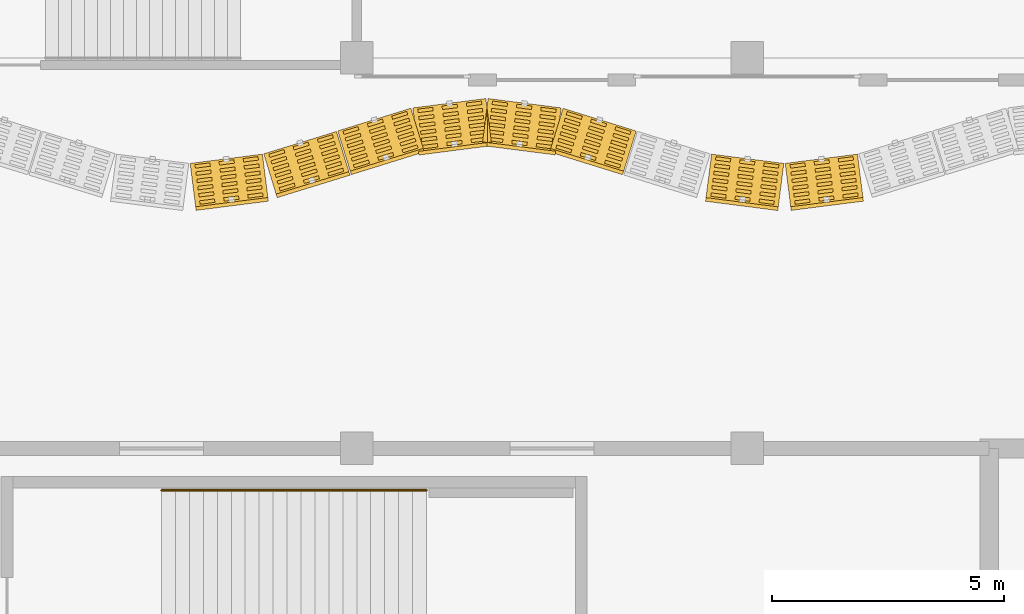
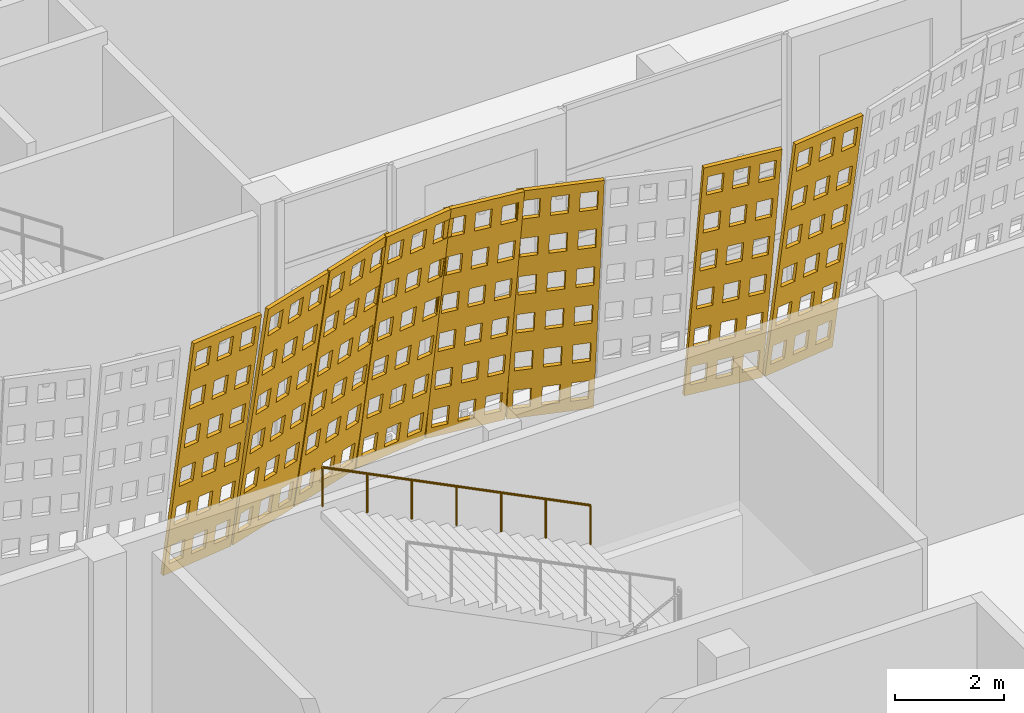
# One storey, part 188 of 210: 8 coverings, 1 railing.
"""IFC4 building model written with IfcOpenShell, lengths in metres."""

from ifc_helpers import new_model, si_unit, direction, frame, origin, origin_2d, place, context, subcontext, project, spatial, polyline, circle, outline, extrude, material, layer, layer_set, type_object, element, save


model = new_model("IFC4")

# Units and contexts
model_context = context("Model", 3, precision=1e-05, world=origin(), true_north=direction((0.0, 1.0)))
body_context = subcontext(model_context, "Body", "Model", "MODEL_VIEW")
ifc_project = project(units=[si_unit("LENGTHUNIT", "METRE"), si_unit("AREAUNIT", "SQUARE_METRE"), si_unit("VOLUMEUNIT", "CUBIC_METRE"), si_unit("PLANEANGLEUNIT", "RADIAN"), si_unit("MASSUNIT", "GRAM", prefix="KILO")], contexts=[model_context])

# Site, building, storey
site_placement = place(None, origin())
site = spatial("IfcSite", under=ifc_project, at=site_placement, CompositionType="ELEMENT")
building_placement = place(site_placement, origin())
building = spatial("IfcBuilding", under=site, at=building_placement, Name="Rain Tree Exposition and Congress Centre", CompositionType="ELEMENT")
storey_placement = place(building_placement, origin())
storey = spatial("IfcBuildingStorey", under=building, at=storey_placement, Name="L00", CompositionType="ELEMENT", Elevation=0.0)

# Railing
ifc_material_1 = material(Name="Steel S355J2H", Category="steel")
railing_type = type_object("IfcRailingType", Name="Handrail 900 steel", PredefinedType="HANDRAIL", material=ifc_material_1)
railing_placement = place(storey_placement, frame((177.89990234375, 66.300048828125, 3.14990234375)))
element("IfcRailing", 1, at=railing_placement, inside=storey, type_object=railing_type, Name="L00 ST-G4 stair handrail 2", PredefinedType="HANDRAIL", context=body_context, shape_type="SweptSolid", body=[
    extrude(circle(Radius=0.02392578125, at=origin_2d()), frame((0.0, 0.0, 0.8759765625), z_axis=(-0.894419528903, 0.0, 0.447228919365), x_axis=(0.0, -1.0, 0.0)), (0.0, 0.0, 1.0), 6.372802734375),
    extrude(circle(Radius=0.02099609375, at=origin_2d()), origin(), (0.0, 0.0, 1.0), 0.851806640625),
    extrude(circle(Radius=0.02099609375, at=origin_2d()), frame((-0.949951171875, 0.0, 0.47509765625)), (0.0, 0.0, 1.0), 0.851806640625),
    extrude(circle(Radius=0.02099609375, at=origin_2d()), frame((-1.89990234375, 0.0, 0.949951171875)), (0.0, 0.0, 1.0), 0.851806640625),
    extrude(circle(Radius=0.02099609375, at=origin_2d()), frame((-2.85009765625, 0.0, 1.425048828125)), (0.0, 0.0, 1.0), 0.851806640625),
    extrude(circle(Radius=0.02099609375, at=origin_2d()), frame((-3.800048828125, 0.0, 1.900146484375)), (0.0, 0.0, 1.0), 0.851806640625),
    extrude(circle(Radius=0.02099609375, at=origin_2d()), frame((-4.75, 0.0, 2.375)), (0.0, 0.0, 1.0), 0.851806640625),
    extrude(circle(Radius=0.02099609375, at=origin_2d()), frame((-5.699951171875, 0.0, 2.85009765625)), (0.0, 0.0, 1.0), 0.851806640625),
])

# Coverings
ifc_material_2 = material(Name="Perforated terracotta", Category="masonry")
ifc_layer = layer(ifc_material_2, 0.080078125)
ifc_layer_set = layer_set([ifc_layer], Name="Perforated terracotta")
covering_type = type_object("IfcCoveringType", Name="Terracotta screen 80", PredefinedType="CLADDING", material=ifc_layer_set)
covering_1_placement = place(storey_placement, frame((172.800048828125, 73.25, 0.0), z_axis=(-0.125030801275, 0.978899688033, 0.161625182136), x_axis=(-0.991941518713, -0.126696580272, 0.0)))
element("IfcCovering", 2, at=covering_1_placement, inside=storey, type_object=covering_type, Name="concourse/screen/L00/109", PredefinedType="CLADDING", context=body_context, shape_type="SweptSolid", body=[
    extrude(outline(polyline([(-0.025146484375, 0.0), (-1.59130859375, 0.0), (-1.59130859375, 5.813720703125), (-0.025146484375, 5.813720703125), (-0.025146484375, 0.0)]), holes=[polyline([(-0.12451171875, 0.25), (-0.12451171875, 0.718994140625), (-0.447998046875, 0.718994140625), (-0.447998046875, 0.25), (-0.12451171875, 0.25)]), polyline([(-0.12451171875, 1.218994140625), (-0.12451171875, 1.687744140625), (-0.447998046875, 1.687744140625), (-0.447998046875, 1.218994140625), (-0.12451171875, 1.218994140625)]), polyline([(-0.12451171875, 2.18798828125), (-0.12451171875, 2.65673828125), (-0.447998046875, 2.65673828125), (-0.447998046875, 2.18798828125), (-0.12451171875, 2.18798828125)]), polyline([(-0.12451171875, 3.156982421875), (-0.12451171875, 3.625732421875), (-0.447998046875, 3.625732421875), (-0.447998046875, 3.156982421875), (-0.12451171875, 3.156982421875)]), polyline([(-0.12451171875, 4.125732421875), (-0.12451171875, 4.594482421875), (-0.447998046875, 4.594482421875), (-0.447998046875, 4.125732421875), (-0.12451171875, 4.125732421875)]), polyline([(-0.12451171875, 5.0947265625), (-0.12451171875, 5.563720703125), (-0.447998046875, 5.563720703125), (-0.447998046875, 5.0947265625), (-0.12451171875, 5.0947265625)]), polyline([(-0.646484375, 0.25), (-0.646484375, 0.718994140625), (-0.969970703125, 0.718994140625), (-0.969970703125, 0.25), (-0.646484375, 0.25)]), polyline([(-0.646484375, 1.218994140625), (-0.646484375, 1.687744140625), (-0.969970703125, 1.687744140625), (-0.969970703125, 1.218994140625), (-0.646484375, 1.218994140625)]), polyline([(-0.646484375, 2.18798828125), (-0.646484375, 2.65673828125), (-0.969970703125, 2.65673828125), (-0.969970703125, 2.18798828125), (-0.646484375, 2.18798828125)]), polyline([(-0.646484375, 3.156982421875), (-0.646484375, 3.625732421875), (-0.969970703125, 3.625732421875), (-0.969970703125, 3.156982421875), (-0.646484375, 3.156982421875)]), polyline([(-0.646484375, 4.125732421875), (-0.646484375, 4.594482421875), (-0.969970703125, 4.594482421875), (-0.969970703125, 4.125732421875), (-0.646484375, 4.125732421875)]), polyline([(-0.646484375, 5.0947265625), (-0.646484375, 5.563720703125), (-0.969970703125, 5.563720703125), (-0.969970703125, 5.0947265625), (-0.646484375, 5.0947265625)]), polyline([(-1.16845703125, 0.25), (-1.16845703125, 0.718994140625), (-1.491943359375, 0.718994140625), (-1.491943359375, 0.25), (-1.16845703125, 0.25)]), polyline([(-1.16845703125, 1.218994140625), (-1.16845703125, 1.687744140625), (-1.491943359375, 1.687744140625), (-1.491943359375, 1.218994140625), (-1.16845703125, 1.218994140625)]), polyline([(-1.16845703125, 2.18798828125), (-1.16845703125, 2.65673828125), (-1.491943359375, 2.65673828125), (-1.491943359375, 2.18798828125), (-1.16845703125, 2.18798828125)]), polyline([(-1.16845703125, 3.156982421875), (-1.16845703125, 3.625732421875), (-1.491943359375, 3.625732421875), (-1.491943359375, 3.156982421875), (-1.16845703125, 3.156982421875)]), polyline([(-1.16845703125, 4.125732421875), (-1.16845703125, 4.594482421875), (-1.491943359375, 4.594482421875), (-1.491943359375, 4.125732421875), (-1.16845703125, 4.125732421875)]), polyline([(-1.16845703125, 5.0947265625), (-1.16845703125, 5.563720703125), (-1.491943359375, 5.563720703125), (-1.491943359375, 5.0947265625), (-1.16845703125, 5.0947265625)])]), origin(), (0.0, 0.0, 1.0), 0.080078125),
])
covering_2_placement = place(storey_placement, frame((174.39990234375, 73.455078125, 0.0), z_axis=(-0.290278371326, 0.94416859726, 0.155833651975), x_axis=(-0.955845867297, -0.293868470528, 0.0)))
element("IfcCovering", 3, at=covering_2_placement, inside=storey, type_object=covering_type, Name="concourse/screen/L00/110", PredefinedType="CLADDING", context=body_context, shape_type="SweptSolid", body=[
    extrude(outline(polyline([(-0.02197265625, 0.0), (-1.659912109375, 0.0), (-1.659912109375, 5.80859375), (-0.02197265625, 5.80859375), (-0.02197265625, 0.0)]), holes=[polyline([(-0.125732421875, 0.249755859375), (-0.125732421875, 0.71826171875), (-0.464111328125, 0.71826171875), (-0.464111328125, 0.249755859375), (-0.125732421875, 0.249755859375)]), polyline([(-0.125732421875, 1.218017578125), (-0.125732421875, 1.686279296875), (-0.464111328125, 1.686279296875), (-0.464111328125, 1.218017578125), (-0.125732421875, 1.218017578125)]), polyline([(-0.125732421875, 2.18603515625), (-0.125732421875, 2.654541015625), (-0.464111328125, 2.654541015625), (-0.464111328125, 2.18603515625), (-0.125732421875, 2.18603515625)]), polyline([(-0.125732421875, 3.154052734375), (-0.125732421875, 3.62255859375), (-0.464111328125, 3.62255859375), (-0.464111328125, 3.154052734375), (-0.125732421875, 3.154052734375)]), polyline([(-0.125732421875, 4.122314453125), (-0.125732421875, 4.5908203125), (-0.464111328125, 4.5908203125), (-0.464111328125, 4.122314453125), (-0.125732421875, 4.122314453125)]), polyline([(-0.125732421875, 5.09033203125), (-0.125732421875, 5.558837890625), (-0.464111328125, 5.558837890625), (-0.464111328125, 5.09033203125), (-0.125732421875, 5.09033203125)]), polyline([(-0.671630859375, 0.249755859375), (-0.671630859375, 0.71826171875), (-1.010009765625, 0.71826171875), (-1.010009765625, 0.249755859375), (-0.671630859375, 0.249755859375)]), polyline([(-0.671630859375, 1.218017578125), (-0.671630859375, 1.686279296875), (-1.010009765625, 1.686279296875), (-1.010009765625, 1.218017578125), (-0.671630859375, 1.218017578125)]), polyline([(-0.671630859375, 2.18603515625), (-0.671630859375, 2.654541015625), (-1.010009765625, 2.654541015625), (-1.010009765625, 2.18603515625), (-0.671630859375, 2.18603515625)]), polyline([(-0.671630859375, 3.154052734375), (-0.671630859375, 3.62255859375), (-1.010009765625, 3.62255859375), (-1.010009765625, 3.154052734375), (-0.671630859375, 3.154052734375)]), polyline([(-0.671630859375, 4.122314453125), (-0.671630859375, 4.5908203125), (-1.010009765625, 4.5908203125), (-1.010009765625, 4.122314453125), (-0.671630859375, 4.122314453125)]), polyline([(-0.671630859375, 5.09033203125), (-0.671630859375, 5.558837890625), (-1.010009765625, 5.558837890625), (-1.010009765625, 5.09033203125), (-0.671630859375, 5.09033203125)]), polyline([(-1.217529296875, 0.249755859375), (-1.217529296875, 0.71826171875), (-1.55615234375, 0.71826171875), (-1.55615234375, 0.249755859375), (-1.217529296875, 0.249755859375)]), polyline([(-1.217529296875, 1.218017578125), (-1.217529296875, 1.686279296875), (-1.55615234375, 1.686279296875), (-1.55615234375, 1.218017578125), (-1.217529296875, 1.218017578125)]), polyline([(-1.217529296875, 2.18603515625), (-1.217529296875, 2.654541015625), (-1.55615234375, 2.654541015625), (-1.55615234375, 2.18603515625), (-1.217529296875, 2.18603515625)]), polyline([(-1.217529296875, 3.154052734375), (-1.217529296875, 3.62255859375), (-1.55615234375, 3.62255859375), (-1.55615234375, 3.154052734375), (-1.217529296875, 3.154052734375)]), polyline([(-1.217529296875, 4.122314453125), (-1.217529296875, 4.5908203125), (-1.55615234375, 4.5908203125), (-1.55615234375, 4.122314453125), (-1.217529296875, 4.122314453125)]), polyline([(-1.217529296875, 5.09033203125), (-1.217529296875, 5.558837890625), (-1.55615234375, 5.558837890625), (-1.55615234375, 5.09033203125), (-1.217529296875, 5.09033203125)])]), origin(), (0.0, 0.0, 1.0), 0.079833984375),
])
covering_3_placement = place(storey_placement, frame((176.0, 73.949951171875, 0.0), z_axis=(-0.293072736571, 0.943327870838, 0.155694891303), x_axis=(-0.954973588716, -0.296690823679, 0.0)))
element("IfcCovering", 4, at=covering_3_placement, inside=storey, type_object=covering_type, Name="concourse/screen/L00/111", PredefinedType="CLADDING", context=body_context, shape_type="SweptSolid", body=[
    extrude(outline(polyline([(-0.014892578125, 0.0), (-1.659912109375, 0.0), (-1.659912109375, 5.80859375), (-0.014892578125, 5.80859375), (-0.014892578125, 0.0)]), holes=[polyline([(-0.119140625, 0.249755859375), (-0.119140625, 0.71826171875), (-0.458984375, 0.71826171875), (-0.458984375, 0.249755859375), (-0.119140625, 0.249755859375)]), polyline([(-0.119140625, 1.218017578125), (-0.119140625, 1.686279296875), (-0.458984375, 1.686279296875), (-0.458984375, 1.218017578125), (-0.119140625, 1.218017578125)]), polyline([(-0.119140625, 2.18603515625), (-0.119140625, 2.654541015625), (-0.458984375, 2.654541015625), (-0.458984375, 2.18603515625), (-0.119140625, 2.18603515625)]), polyline([(-0.119140625, 3.154052734375), (-0.119140625, 3.62255859375), (-0.458984375, 3.62255859375), (-0.458984375, 3.154052734375), (-0.119140625, 3.154052734375)]), polyline([(-0.119140625, 4.122314453125), (-0.119140625, 4.5908203125), (-0.458984375, 4.5908203125), (-0.458984375, 4.122314453125), (-0.119140625, 4.122314453125)]), polyline([(-0.119140625, 5.09033203125), (-0.119140625, 5.558837890625), (-0.458984375, 5.558837890625), (-0.458984375, 5.09033203125), (-0.119140625, 5.09033203125)]), polyline([(-0.66748046875, 0.249755859375), (-0.66748046875, 0.71826171875), (-1.00732421875, 0.71826171875), (-1.00732421875, 0.249755859375), (-0.66748046875, 0.249755859375)]), polyline([(-0.66748046875, 1.218017578125), (-0.66748046875, 1.686279296875), (-1.00732421875, 1.686279296875), (-1.00732421875, 1.218017578125), (-0.66748046875, 1.218017578125)]), polyline([(-0.66748046875, 2.18603515625), (-0.66748046875, 2.654541015625), (-1.00732421875, 2.654541015625), (-1.00732421875, 2.18603515625), (-0.66748046875, 2.18603515625)]), polyline([(-0.66748046875, 3.154052734375), (-0.66748046875, 3.62255859375), (-1.00732421875, 3.62255859375), (-1.00732421875, 3.154052734375), (-0.66748046875, 3.154052734375)]), polyline([(-0.66748046875, 4.122314453125), (-0.66748046875, 4.5908203125), (-1.00732421875, 4.5908203125), (-1.00732421875, 4.122314453125), (-0.66748046875, 4.122314453125)]), polyline([(-0.66748046875, 5.09033203125), (-0.66748046875, 5.558837890625), (-1.00732421875, 5.558837890625), (-1.00732421875, 5.09033203125), (-0.66748046875, 5.09033203125)]), polyline([(-1.2158203125, 0.249755859375), (-1.2158203125, 0.71826171875), (-1.5556640625, 0.71826171875), (-1.5556640625, 0.249755859375), (-1.2158203125, 0.249755859375)]), polyline([(-1.2158203125, 1.218017578125), (-1.2158203125, 1.686279296875), (-1.5556640625, 1.686279296875), (-1.5556640625, 1.218017578125), (-1.2158203125, 1.218017578125)]), polyline([(-1.2158203125, 2.18603515625), (-1.2158203125, 2.654541015625), (-1.5556640625, 2.654541015625), (-1.5556640625, 2.18603515625), (-1.2158203125, 2.18603515625)]), polyline([(-1.2158203125, 3.154052734375), (-1.2158203125, 3.62255859375), (-1.5556640625, 3.62255859375), (-1.5556640625, 3.154052734375), (-1.2158203125, 3.154052734375)]), polyline([(-1.2158203125, 4.122314453125), (-1.2158203125, 4.5908203125), (-1.5556640625, 4.5908203125), (-1.5556640625, 4.122314453125), (-1.2158203125, 4.122314453125)]), polyline([(-1.2158203125, 5.09033203125), (-1.2158203125, 5.558837890625), (-1.5556640625, 5.558837890625), (-1.5556640625, 5.09033203125), (-1.2158203125, 5.09033203125)])]), origin(), (0.0, 0.0, 1.0), 0.080078125),
])
covering_4_placement = place(storey_placement, frame((177.60009765625, 74.445068359375, 0.0), z_axis=(-0.125405134464, 0.978771781185, 0.162109076259), x_axis=(-0.991891686382, -0.127086122318, 0.0)))
element("IfcCovering", 5, at=covering_4_placement, inside=storey, type_object=covering_type, Name="concourse/screen/L00/112", PredefinedType="CLADDING", context=body_context, shape_type="SweptSolid", body=[
    extrude(outline(polyline([(-0.014892578125, 0.0), (-1.59814453125, 0.0), (-1.59814453125, 5.813720703125), (-0.014892578125, 5.813720703125), (-0.014892578125, 0.0)]), holes=[polyline([(-0.115234375, 0.25), (-0.115234375, 0.718994140625), (-0.4423828125, 0.718994140625), (-0.4423828125, 0.25), (-0.115234375, 0.25)]), polyline([(-0.115234375, 1.218994140625), (-0.115234375, 1.687744140625), (-0.4423828125, 1.687744140625), (-0.4423828125, 1.218994140625), (-0.115234375, 1.218994140625)]), polyline([(-0.115234375, 2.18798828125), (-0.115234375, 2.65673828125), (-0.4423828125, 2.65673828125), (-0.4423828125, 2.18798828125), (-0.115234375, 2.18798828125)]), polyline([(-0.115234375, 3.156982421875), (-0.115234375, 3.625732421875), (-0.4423828125, 3.625732421875), (-0.4423828125, 3.156982421875), (-0.115234375, 3.156982421875)]), polyline([(-0.115234375, 4.125732421875), (-0.115234375, 4.594482421875), (-0.4423828125, 4.594482421875), (-0.4423828125, 4.125732421875), (-0.115234375, 4.125732421875)]), polyline([(-0.115234375, 5.0947265625), (-0.115234375, 5.563720703125), (-0.4423828125, 5.563720703125), (-0.4423828125, 5.0947265625), (-0.115234375, 5.0947265625)]), polyline([(-0.64306640625, 0.25), (-0.64306640625, 0.718994140625), (-0.97021484375, 0.718994140625), (-0.97021484375, 0.25), (-0.64306640625, 0.25)]), polyline([(-0.64306640625, 1.218994140625), (-0.64306640625, 1.687744140625), (-0.97021484375, 1.687744140625), (-0.97021484375, 1.218994140625), (-0.64306640625, 1.218994140625)]), polyline([(-0.64306640625, 2.18798828125), (-0.64306640625, 2.65673828125), (-0.97021484375, 2.65673828125), (-0.97021484375, 2.18798828125), (-0.64306640625, 2.18798828125)]), polyline([(-0.64306640625, 3.156982421875), (-0.64306640625, 3.625732421875), (-0.97021484375, 3.625732421875), (-0.97021484375, 3.156982421875), (-0.64306640625, 3.156982421875)]), polyline([(-0.64306640625, 4.125732421875), (-0.64306640625, 4.594482421875), (-0.97021484375, 4.594482421875), (-0.97021484375, 4.125732421875), (-0.64306640625, 4.125732421875)]), polyline([(-0.64306640625, 5.0947265625), (-0.64306640625, 5.563720703125), (-0.97021484375, 5.563720703125), (-0.97021484375, 5.0947265625), (-0.64306640625, 5.0947265625)]), polyline([(-1.170654296875, 0.25), (-1.170654296875, 0.718994140625), (-1.497802734375, 0.718994140625), (-1.497802734375, 0.25), (-1.170654296875, 0.25)]), polyline([(-1.170654296875, 1.218994140625), (-1.170654296875, 1.687744140625), (-1.497802734375, 1.687744140625), (-1.497802734375, 1.218994140625), (-1.170654296875, 1.218994140625)]), polyline([(-1.170654296875, 2.18798828125), (-1.170654296875, 2.65673828125), (-1.497802734375, 2.65673828125), (-1.497802734375, 2.18798828125), (-1.170654296875, 2.18798828125)]), polyline([(-1.170654296875, 3.156982421875), (-1.170654296875, 3.625732421875), (-1.497802734375, 3.625732421875), (-1.497802734375, 3.156982421875), (-1.170654296875, 3.156982421875)]), polyline([(-1.170654296875, 4.125732421875), (-1.170654296875, 4.594482421875), (-1.497802734375, 4.594482421875), (-1.497802734375, 4.125732421875), (-1.170654296875, 4.125732421875)]), polyline([(-1.170654296875, 5.0947265625), (-1.170654296875, 5.563720703125), (-1.497802734375, 5.563720703125), (-1.497802734375, 5.0947265625), (-1.170654296875, 5.0947265625)])]), origin(), (0.0, 0.0, 1.0), 0.079833984375),
])
covering_5_placement = place(storey_placement, frame((179.199951171875, 74.64990234375, 0.0), z_axis=(0.125030801275, 0.978899688033, 0.161625182136), x_axis=(-0.991941518713, 0.126696580272, 0.0)))
element("IfcCovering", 6, at=covering_5_placement, inside=storey, type_object=covering_type, Name="concourse/screen/L00/113", PredefinedType="CLADDING", context=body_context, shape_type="SweptSolid", body=[
    extrude(outline(polyline([(-0.014892578125, 0.0), (-1.59814453125, 0.0), (-1.59814453125, 5.813720703125), (-0.014892578125, 5.813720703125), (-0.014892578125, 0.0)]), holes=[polyline([(-0.115234375, 0.25), (-0.115234375, 0.718994140625), (-0.4423828125, 0.718994140625), (-0.4423828125, 0.25), (-0.115234375, 0.25)]), polyline([(-0.115234375, 1.218994140625), (-0.115234375, 1.687744140625), (-0.4423828125, 1.687744140625), (-0.4423828125, 1.218994140625), (-0.115234375, 1.218994140625)]), polyline([(-0.115234375, 2.18798828125), (-0.115234375, 2.65673828125), (-0.4423828125, 2.65673828125), (-0.4423828125, 2.18798828125), (-0.115234375, 2.18798828125)]), polyline([(-0.115234375, 3.156982421875), (-0.115234375, 3.625732421875), (-0.4423828125, 3.625732421875), (-0.4423828125, 3.156982421875), (-0.115234375, 3.156982421875)]), polyline([(-0.115234375, 4.125732421875), (-0.115234375, 4.594482421875), (-0.4423828125, 4.594482421875), (-0.4423828125, 4.125732421875), (-0.115234375, 4.125732421875)]), polyline([(-0.115234375, 5.0947265625), (-0.115234375, 5.563720703125), (-0.4423828125, 5.563720703125), (-0.4423828125, 5.0947265625), (-0.115234375, 5.0947265625)]), polyline([(-0.64306640625, 0.25), (-0.64306640625, 0.718994140625), (-0.97021484375, 0.718994140625), (-0.97021484375, 0.25), (-0.64306640625, 0.25)]), polyline([(-0.64306640625, 1.218994140625), (-0.64306640625, 1.687744140625), (-0.97021484375, 1.687744140625), (-0.97021484375, 1.218994140625), (-0.64306640625, 1.218994140625)]), polyline([(-0.64306640625, 2.18798828125), (-0.64306640625, 2.65673828125), (-0.97021484375, 2.65673828125), (-0.97021484375, 2.18798828125), (-0.64306640625, 2.18798828125)]), polyline([(-0.64306640625, 3.156982421875), (-0.64306640625, 3.625732421875), (-0.97021484375, 3.625732421875), (-0.97021484375, 3.156982421875), (-0.64306640625, 3.156982421875)]), polyline([(-0.64306640625, 4.125732421875), (-0.64306640625, 4.594482421875), (-0.97021484375, 4.594482421875), (-0.97021484375, 4.125732421875), (-0.64306640625, 4.125732421875)]), polyline([(-0.64306640625, 5.0947265625), (-0.64306640625, 5.563720703125), (-0.97021484375, 5.563720703125), (-0.97021484375, 5.0947265625), (-0.64306640625, 5.0947265625)]), polyline([(-1.170654296875, 0.25), (-1.170654296875, 0.718994140625), (-1.497802734375, 0.718994140625), (-1.497802734375, 0.25), (-1.170654296875, 0.25)]), polyline([(-1.170654296875, 1.218994140625), (-1.170654296875, 1.687744140625), (-1.497802734375, 1.687744140625), (-1.497802734375, 1.218994140625), (-1.170654296875, 1.218994140625)]), polyline([(-1.170654296875, 2.18798828125), (-1.170654296875, 2.65673828125), (-1.497802734375, 2.65673828125), (-1.497802734375, 2.18798828125), (-1.170654296875, 2.18798828125)]), polyline([(-1.170654296875, 3.156982421875), (-1.170654296875, 3.625732421875), (-1.497802734375, 3.625732421875), (-1.497802734375, 3.156982421875), (-1.170654296875, 3.156982421875)]), polyline([(-1.170654296875, 4.125732421875), (-1.170654296875, 4.594482421875), (-1.497802734375, 4.594482421875), (-1.497802734375, 4.125732421875), (-1.170654296875, 4.125732421875)]), polyline([(-1.170654296875, 5.0947265625), (-1.170654296875, 5.563720703125), (-1.497802734375, 5.563720703125), (-1.497802734375, 5.0947265625), (-1.170654296875, 5.0947265625)])]), origin(), (0.0, 0.0, 1.0), 0.080078125),
])
covering_6_placement = place(storey_placement, frame((180.800048828125, 74.445068359375, 0.0), z_axis=(0.293072736571, 0.943327870838, 0.155694891303), x_axis=(-0.954973588716, 0.296690823679, 0.0)))
element("IfcCovering", 7, at=covering_6_placement, inside=storey, type_object=covering_type, Name="concourse/screen/L00/114", PredefinedType="CLADDING", context=body_context, shape_type="SweptSolid", body=[
    extrude(outline(polyline([(-0.014892578125, 0.0), (-1.659912109375, 0.0), (-1.659912109375, 5.80859375), (-0.014892578125, 5.80859375), (-0.014892578125, 0.0)]), holes=[polyline([(-0.119140625, 0.249755859375), (-0.119140625, 0.71826171875), (-0.458984375, 0.71826171875), (-0.458984375, 0.249755859375), (-0.119140625, 0.249755859375)]), polyline([(-0.119140625, 1.218017578125), (-0.119140625, 1.686279296875), (-0.458984375, 1.686279296875), (-0.458984375, 1.218017578125), (-0.119140625, 1.218017578125)]), polyline([(-0.119140625, 2.18603515625), (-0.119140625, 2.654541015625), (-0.458984375, 2.654541015625), (-0.458984375, 2.18603515625), (-0.119140625, 2.18603515625)]), polyline([(-0.119140625, 3.154052734375), (-0.119140625, 3.62255859375), (-0.458984375, 3.62255859375), (-0.458984375, 3.154052734375), (-0.119140625, 3.154052734375)]), polyline([(-0.119140625, 4.122314453125), (-0.119140625, 4.5908203125), (-0.458984375, 4.5908203125), (-0.458984375, 4.122314453125), (-0.119140625, 4.122314453125)]), polyline([(-0.119140625, 5.09033203125), (-0.119140625, 5.558837890625), (-0.458984375, 5.558837890625), (-0.458984375, 5.09033203125), (-0.119140625, 5.09033203125)]), polyline([(-0.66748046875, 0.249755859375), (-0.66748046875, 0.71826171875), (-1.00732421875, 0.71826171875), (-1.00732421875, 0.249755859375), (-0.66748046875, 0.249755859375)]), polyline([(-0.66748046875, 1.218017578125), (-0.66748046875, 1.686279296875), (-1.00732421875, 1.686279296875), (-1.00732421875, 1.218017578125), (-0.66748046875, 1.218017578125)]), polyline([(-0.66748046875, 2.18603515625), (-0.66748046875, 2.654541015625), (-1.00732421875, 2.654541015625), (-1.00732421875, 2.18603515625), (-0.66748046875, 2.18603515625)]), polyline([(-0.66748046875, 3.154052734375), (-0.66748046875, 3.62255859375), (-1.00732421875, 3.62255859375), (-1.00732421875, 3.154052734375), (-0.66748046875, 3.154052734375)]), polyline([(-0.66748046875, 4.122314453125), (-0.66748046875, 4.5908203125), (-1.00732421875, 4.5908203125), (-1.00732421875, 4.122314453125), (-0.66748046875, 4.122314453125)]), polyline([(-0.66748046875, 5.09033203125), (-0.66748046875, 5.558837890625), (-1.00732421875, 5.558837890625), (-1.00732421875, 5.09033203125), (-0.66748046875, 5.09033203125)]), polyline([(-1.2158203125, 0.249755859375), (-1.2158203125, 0.71826171875), (-1.5556640625, 0.71826171875), (-1.5556640625, 0.249755859375), (-1.2158203125, 0.249755859375)]), polyline([(-1.2158203125, 1.218017578125), (-1.2158203125, 1.686279296875), (-1.5556640625, 1.686279296875), (-1.5556640625, 1.218017578125), (-1.2158203125, 1.218017578125)]), polyline([(-1.2158203125, 2.18603515625), (-1.2158203125, 2.654541015625), (-1.5556640625, 2.654541015625), (-1.5556640625, 2.18603515625), (-1.2158203125, 2.18603515625)]), polyline([(-1.2158203125, 3.154052734375), (-1.2158203125, 3.62255859375), (-1.5556640625, 3.62255859375), (-1.5556640625, 3.154052734375), (-1.2158203125, 3.154052734375)]), polyline([(-1.2158203125, 4.122314453125), (-1.2158203125, 4.5908203125), (-1.5556640625, 4.5908203125), (-1.5556640625, 4.122314453125), (-1.2158203125, 4.122314453125)]), polyline([(-1.2158203125, 5.09033203125), (-1.2158203125, 5.558837890625), (-1.5556640625, 5.558837890625), (-1.5556640625, 5.09033203125), (-1.2158203125, 5.09033203125)])]), origin(), (0.0, 0.0, 1.0), 0.080078125),
])
covering_7_placement = place(storey_placement, frame((184.0, 73.455078125, 0.0), z_axis=(0.125405134464, 0.978771781185, 0.162109076259), x_axis=(-0.991891686382, 0.127086122318, 0.0)))
element("IfcCovering", 8, at=covering_7_placement, inside=storey, type_object=covering_type, Name="concourse/screen/L00/116", PredefinedType="CLADDING", context=body_context, shape_type="SweptSolid", body=[
    extrude(outline(polyline([(-0.02197265625, 0.0), (-1.587890625, 0.0), (-1.587890625, 5.813720703125), (-0.02197265625, 5.813720703125), (-0.02197265625, 0.0)]), holes=[polyline([(-0.12109375, 0.25), (-0.12109375, 0.718994140625), (-0.444580078125, 0.718994140625), (-0.444580078125, 0.25), (-0.12109375, 0.25)]), polyline([(-0.12109375, 1.218994140625), (-0.12109375, 1.687744140625), (-0.444580078125, 1.687744140625), (-0.444580078125, 1.218994140625), (-0.12109375, 1.218994140625)]), polyline([(-0.12109375, 2.18798828125), (-0.12109375, 2.65673828125), (-0.444580078125, 2.65673828125), (-0.444580078125, 2.18798828125), (-0.12109375, 2.18798828125)]), polyline([(-0.12109375, 3.156982421875), (-0.12109375, 3.625732421875), (-0.444580078125, 3.625732421875), (-0.444580078125, 3.156982421875), (-0.12109375, 3.156982421875)]), polyline([(-0.12109375, 4.125732421875), (-0.12109375, 4.594482421875), (-0.444580078125, 4.594482421875), (-0.444580078125, 4.125732421875), (-0.12109375, 4.125732421875)]), polyline([(-0.12109375, 5.0947265625), (-0.12109375, 5.563720703125), (-0.444580078125, 5.563720703125), (-0.444580078125, 5.0947265625), (-0.12109375, 5.0947265625)]), polyline([(-0.64306640625, 0.25), (-0.64306640625, 0.718994140625), (-0.966796875, 0.718994140625), (-0.966796875, 0.25), (-0.64306640625, 0.25)]), polyline([(-0.64306640625, 1.218994140625), (-0.64306640625, 1.687744140625), (-0.966796875, 1.687744140625), (-0.966796875, 1.218994140625), (-0.64306640625, 1.218994140625)]), polyline([(-0.64306640625, 2.18798828125), (-0.64306640625, 2.65673828125), (-0.966796875, 2.65673828125), (-0.966796875, 2.18798828125), (-0.64306640625, 2.18798828125)]), polyline([(-0.64306640625, 3.156982421875), (-0.64306640625, 3.625732421875), (-0.966796875, 3.625732421875), (-0.966796875, 3.156982421875), (-0.64306640625, 3.156982421875)]), polyline([(-0.64306640625, 4.125732421875), (-0.64306640625, 4.594482421875), (-0.966796875, 4.594482421875), (-0.966796875, 4.125732421875), (-0.64306640625, 4.125732421875)]), polyline([(-0.64306640625, 5.0947265625), (-0.64306640625, 5.563720703125), (-0.966796875, 5.563720703125), (-0.966796875, 5.0947265625), (-0.64306640625, 5.0947265625)]), polyline([(-1.1650390625, 0.25), (-1.1650390625, 0.718994140625), (-1.48876953125, 0.718994140625), (-1.48876953125, 0.25), (-1.1650390625, 0.25)]), polyline([(-1.1650390625, 1.218994140625), (-1.1650390625, 1.687744140625), (-1.48876953125, 1.687744140625), (-1.48876953125, 1.218994140625), (-1.1650390625, 1.218994140625)]), polyline([(-1.1650390625, 2.18798828125), (-1.1650390625, 2.65673828125), (-1.48876953125, 2.65673828125), (-1.48876953125, 2.18798828125), (-1.1650390625, 2.18798828125)]), polyline([(-1.1650390625, 3.156982421875), (-1.1650390625, 3.625732421875), (-1.48876953125, 3.625732421875), (-1.48876953125, 3.156982421875), (-1.1650390625, 3.156982421875)]), polyline([(-1.1650390625, 4.125732421875), (-1.1650390625, 4.594482421875), (-1.48876953125, 4.594482421875), (-1.48876953125, 4.125732421875), (-1.1650390625, 4.125732421875)]), polyline([(-1.1650390625, 5.0947265625), (-1.1650390625, 5.563720703125), (-1.48876953125, 5.563720703125), (-1.48876953125, 5.0947265625), (-1.1650390625, 5.0947265625)])]), origin(), (0.0, 0.0, 1.0), 0.079833984375),
])
covering_8_placement = place(storey_placement, frame((185.60009765625, 73.25, 0.0), z_axis=(-0.125030801275, 0.978899688033, 0.161625182136), x_axis=(-0.991941518713, -0.126696580272, 0.0)))
element("IfcCovering", 9, at=covering_8_placement, inside=storey, type_object=covering_type, Name="concourse/screen/L00/117", PredefinedType="CLADDING", context=body_context, shape_type="SweptSolid", body=[
    extrude(outline(polyline([(-0.025146484375, 0.0), (-1.59130859375, 0.0), (-1.59130859375, 5.813720703125), (-0.025146484375, 5.813720703125), (-0.025146484375, 0.0)]), holes=[polyline([(-0.12451171875, 0.25), (-0.12451171875, 0.718994140625), (-0.447998046875, 0.718994140625), (-0.447998046875, 0.25), (-0.12451171875, 0.25)]), polyline([(-0.12451171875, 1.218994140625), (-0.12451171875, 1.687744140625), (-0.447998046875, 1.687744140625), (-0.447998046875, 1.218994140625), (-0.12451171875, 1.218994140625)]), polyline([(-0.12451171875, 2.18798828125), (-0.12451171875, 2.65673828125), (-0.447998046875, 2.65673828125), (-0.447998046875, 2.18798828125), (-0.12451171875, 2.18798828125)]), polyline([(-0.12451171875, 3.156982421875), (-0.12451171875, 3.625732421875), (-0.447998046875, 3.625732421875), (-0.447998046875, 3.156982421875), (-0.12451171875, 3.156982421875)]), polyline([(-0.12451171875, 4.125732421875), (-0.12451171875, 4.594482421875), (-0.447998046875, 4.594482421875), (-0.447998046875, 4.125732421875), (-0.12451171875, 4.125732421875)]), polyline([(-0.12451171875, 5.0947265625), (-0.12451171875, 5.563720703125), (-0.447998046875, 5.563720703125), (-0.447998046875, 5.0947265625), (-0.12451171875, 5.0947265625)]), polyline([(-0.646484375, 0.25), (-0.646484375, 0.718994140625), (-0.969970703125, 0.718994140625), (-0.969970703125, 0.25), (-0.646484375, 0.25)]), polyline([(-0.646484375, 1.218994140625), (-0.646484375, 1.687744140625), (-0.969970703125, 1.687744140625), (-0.969970703125, 1.218994140625), (-0.646484375, 1.218994140625)]), polyline([(-0.646484375, 2.18798828125), (-0.646484375, 2.65673828125), (-0.969970703125, 2.65673828125), (-0.969970703125, 2.18798828125), (-0.646484375, 2.18798828125)]), polyline([(-0.646484375, 3.156982421875), (-0.646484375, 3.625732421875), (-0.969970703125, 3.625732421875), (-0.969970703125, 3.156982421875), (-0.646484375, 3.156982421875)]), polyline([(-0.646484375, 4.125732421875), (-0.646484375, 4.594482421875), (-0.969970703125, 4.594482421875), (-0.969970703125, 4.125732421875), (-0.646484375, 4.125732421875)]), polyline([(-0.646484375, 5.0947265625), (-0.646484375, 5.563720703125), (-0.969970703125, 5.563720703125), (-0.969970703125, 5.0947265625), (-0.646484375, 5.0947265625)]), polyline([(-1.16845703125, 0.25), (-1.16845703125, 0.718994140625), (-1.491943359375, 0.718994140625), (-1.491943359375, 0.25), (-1.16845703125, 0.25)]), polyline([(-1.16845703125, 1.218994140625), (-1.16845703125, 1.687744140625), (-1.491943359375, 1.687744140625), (-1.491943359375, 1.218994140625), (-1.16845703125, 1.218994140625)]), polyline([(-1.16845703125, 2.18798828125), (-1.16845703125, 2.65673828125), (-1.491943359375, 2.65673828125), (-1.491943359375, 2.18798828125), (-1.16845703125, 2.18798828125)]), polyline([(-1.16845703125, 3.156982421875), (-1.16845703125, 3.625732421875), (-1.491943359375, 3.625732421875), (-1.491943359375, 3.156982421875), (-1.16845703125, 3.156982421875)]), polyline([(-1.16845703125, 4.125732421875), (-1.16845703125, 4.594482421875), (-1.491943359375, 4.594482421875), (-1.491943359375, 4.125732421875), (-1.16845703125, 4.125732421875)]), polyline([(-1.16845703125, 5.0947265625), (-1.16845703125, 5.563720703125), (-1.491943359375, 5.563720703125), (-1.491943359375, 5.0947265625), (-1.16845703125, 5.0947265625)])]), origin(), (0.0, 0.0, 1.0), 0.080078125),
])

save(model, "model.ifc")
